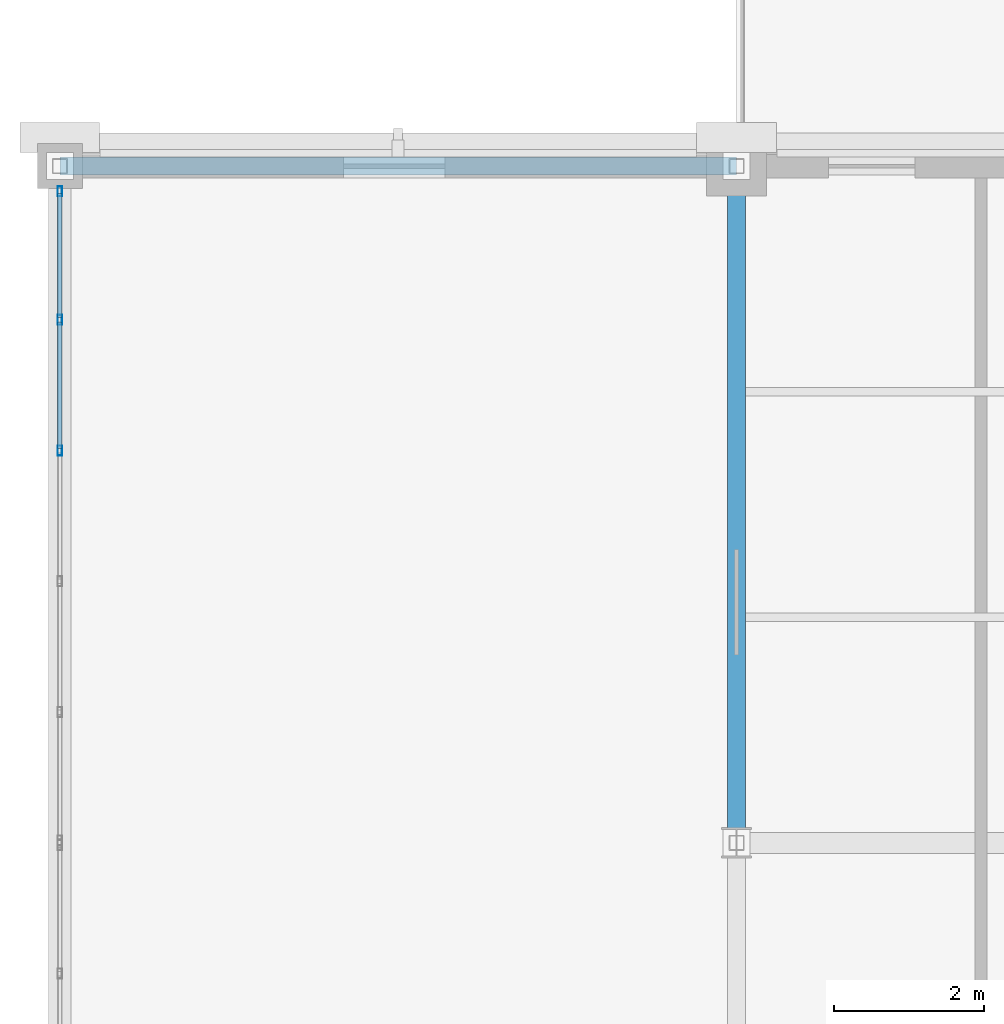
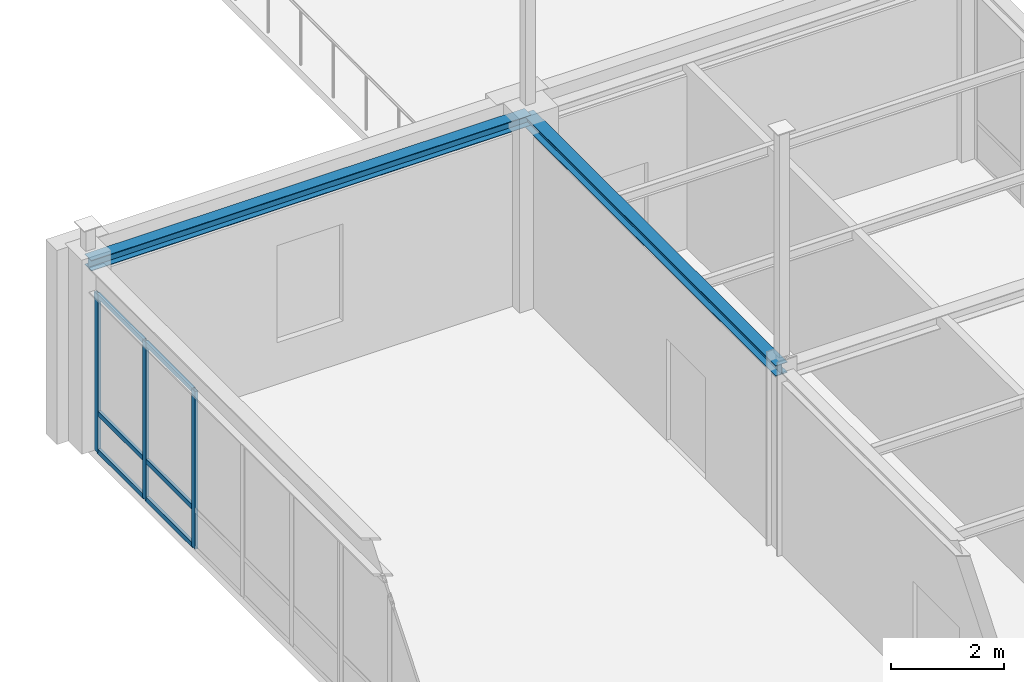
# One storey, part 23 of 36: 9 members, 2 beams, 1 element without a shape of its own.
"""IFC4 building model written with IfcOpenShell, lengths in metres."""

import ifcopenshell
import ifcopenshell.guid

model = None  # the IFC model being written
_history = None  # IfcOwnerHistory: only IFC2X3 demands one
_inside = {}  # id of a spatial element -> (the spatial element, [elements in it])
_under = {}  # id of a project, library or spatial element -> (it, [spatial elements below it])
_declared = {}  # id of a project -> (the project, [libraries it declares])
_typed = {}  # id of a type object -> (the type object, [elements of that type])
_made_of = {}  # id of a material, layer set ... -> (it, [elements and type objects made of it])


def new_model(schema):
    """Start an empty IFC model of exactly this schema.

    Asked for "IFC4X3", IfcOpenShell would pick the latest addendum, in which some entities
    have other attributes; the version numbers below select the first issue.
    IFC2X3 requires an IfcOwnerHistory on every rooted entity: one is made here for all.
    """
    global model, _history
    if schema == "IFC4X3":
        model = ifcopenshell.file(schema_version=(4, 3, 0, 0))
    else:
        model = ifcopenshell.file(schema=schema)
    _inside.clear()
    _under.clear()
    _declared.clear()
    _typed.clear()
    _made_of.clear()
    _history = None
    if model.schema == "IFC2X3":
        org = make("IfcOrganization", Name="unknown")
        user = make(
            "IfcPersonAndOrganization",
            ThePerson=make("IfcPerson", FamilyName="unknown"),
            TheOrganization=org,
        )
        app = make(
            "IfcApplication",
            ApplicationDeveloper=org,
            Version="unknown",
            ApplicationFullName="unknown",
            ApplicationIdentifier="unknown",
        )
        _history = make(
            "IfcOwnerHistory",
            OwningUser=user,
            OwningApplication=app,
            ChangeAction="ADDED",
            CreationDate=0,
        )
    return model


def make(cls, **values):
    """One entity of the class cls with the attributes given. An attribute that is None is left unset."""
    return model.create_entity(
        cls, **{name: value for name, value in values.items() if value is not None}
    )


def rooted(cls, **values):
    """An entity with a GlobalId (a new one), such as an element, a storey or a relation."""
    return make(cls, GlobalId=ifcopenshell.guid.new(), OwnerHistory=_history, **values)


def si_unit(unit_type, name, prefix=None):
    """IfcSIUnit, for example si_unit("LENGTHUNIT", "METRE", prefix="MILLI")."""
    return make("IfcSIUnit", UnitType=unit_type, Prefix=prefix, Name=name)


def assignment(units):
    """IfcUnitAssignment: the units of a project."""
    return None if units is None else make("IfcUnitAssignment", Units=units)


def point(xyz):
    """IfcCartesianPoint."""
    return None if xyz is None else make("IfcCartesianPoint", Coordinates=xyz)


def direction(xyz):
    """IfcDirection."""
    return None if xyz is None else make("IfcDirection", DirectionRatios=xyz)


def frame(location, z_axis=None, x_axis=None):
    """IfcAxis2Placement3D, a coordinate frame: its origin and axes. An axis left out is left unset."""
    return make(
        "IfcAxis2Placement3D",
        Location=point(location),
        Axis=direction(z_axis),
        RefDirection=direction(x_axis),
    )


def frame_2d(location, x_axis=None):
    """IfcAxis2Placement2D, a coordinate frame in the plane: its origin and x axis."""
    return make(
        "IfcAxis2Placement2D", Location=point(location), RefDirection=direction(x_axis)
    )


def origin():
    """The frame at (0, 0, 0) with its axes left unset."""
    return frame((0.0, 0.0, 0.0))


def origin_2d():
    """The frame at (0, 0) in the plane with its x axis left unset."""
    return frame_2d((0.0, 0.0))


def place(relative_to, where):
    """IfcLocalPlacement: puts the frame where relative to a parent placement (None: the world)."""
    return make(
        "IfcLocalPlacement", PlacementRelTo=relative_to, RelativePlacement=where
    )


def context(
    kind, dimensions, precision=None, world=None, true_north=None, identifier=None
):
    """IfcGeometricRepresentationContext, for example the 3D "Model" context."""
    return make(
        "IfcGeometricRepresentationContext",
        ContextIdentifier=identifier,
        ContextType=kind,
        CoordinateSpaceDimension=dimensions,
        Precision=precision,
        WorldCoordinateSystem=world,
        TrueNorth=true_north,
    )


def subcontext(parent, identifier, kind, view, scale=None):
    """IfcGeometricRepresentationSubContext, for example "Body" below "Model"."""
    return make(
        "IfcGeometricRepresentationSubContext",
        ContextIdentifier=identifier,
        ContextType=kind,
        ParentContext=parent,
        TargetScale=scale,
        TargetView=view,
    )


def project(units=None, contexts=None):
    """IfcProject with its units and contexts."""
    return rooted(
        "IfcProject",
        Name="project",
        RepresentationContexts=contexts,
        UnitsInContext=assignment(units),
    )


def spatial(cls, under=None, at=None, **own):
    """A site, building, storey or space (cls), placed at a placement, below another one or the project."""
    s = rooted(cls, ObjectPlacement=at, **own)
    if under is not None:
        _under.setdefault(under.id(), (under, []))[1].append(s)
    return s


def profile(cls, at=None, kind="AREA", **sizes):
    """A parametric profile (cls). Its sizes go by their IFC names, for example OverallWidth=200.0."""
    return make(cls, ProfileType=kind, Position=at, **sizes)


def hollow_rectangle(**sizes):
    """IfcRectangleHollowProfileDef."""
    return profile("IfcRectangleHollowProfileDef", **sizes)


def i_section(**sizes):
    """IfcIShapeProfileDef."""
    return profile("IfcIShapeProfileDef", **sizes)


def extrude(swept, where, along, depth):
    """IfcExtrudedAreaSolid: the profile swept, set in the frame where, extruded along a direction by depth."""
    return make(
        "IfcExtrudedAreaSolid",
        SweptArea=swept,
        Position=where,
        ExtrudedDirection=direction(along),
        Depth=depth,
    )


def shape(context_of_items, identifier, shape_type, items):
    """IfcShapeRepresentation: the items that make up one representation, for example the "Body"."""
    return make(
        "IfcShapeRepresentation",
        ContextOfItems=context_of_items,
        RepresentationIdentifier=identifier,
        RepresentationType=shape_type,
        Items=items,
    )


def material(Name=None, Category=None):
    """IfcMaterial."""
    return make("IfcMaterial", Name=Name, Category=Category)


def material_profile(
    of_material, cross_section, Name=None, Category=None, Priority=None
):
    """IfcMaterialProfile: a cross section and its material."""
    return make(
        "IfcMaterialProfile",
        Name=Name,
        Material=of_material,
        Profile=cross_section,
        Priority=Priority,
        Category=Category,
    )


def profile_set(profiles, Name=None, composite=None):
    """IfcMaterialProfileSet."""
    return make(
        "IfcMaterialProfileSet",
        Name=Name,
        MaterialProfiles=profiles,
        CompositeProfile=composite,
    )


def made_of(thing, what):
    """Note that an element or type object is made of a material, layer set ...; save() writes the relation."""
    if what is not None:
        _made_of.setdefault(what.id(), (what, []))[1].append(thing)
    return thing


def type_object(cls, material=None, **own):
    """A type object (cls), such as IfcWallType, which elements share."""
    return made_of(rooted(cls, **own), material)


def element(
    cls,
    number,
    at=None,
    inside=None,
    cuts=None,
    type_object=None,
    material=None,
    context=None,
    identifier="Body",
    shape_type=None,
    held_by="IfcProductDefinitionShape",
    body=None,
    shapes=None,
    **own,
):
    """One element of the class cls, such as IfcWall. Its Tag is "e" and its number.

    at: its placement. inside: the storey or other place that contains it. cuts: it is an
    opening in that element (IfcRelVoidsElement). A single representation is given by context,
    identifier, shape_type and body (its items); several are given by shapes. held_by: the class
    of the entity that holds the representations. save() writes the other relations.
    """
    e = rooted(cls, Tag="e%d" % number, ObjectPlacement=at, **own)
    if body is not None:
        shapes = [shape(context, identifier, shape_type, body)]
    if shapes is not None:
        e.Representation = make(held_by, Representations=shapes)
    if inside is not None:
        _inside.setdefault(inside.id(), (inside, []))[1].append(e)
    if cuts is not None:
        rooted(
            "IfcRelVoidsElement", RelatingBuildingElement=cuts, RelatedOpeningElement=e
        )
    if type_object is not None:
        _typed.setdefault(type_object.id(), (type_object, []))[1].append(e)
    return made_of(e, material)


def aggregate(whole, parts):
    """IfcRelAggregates: a whole, such as a stair, and the parts it consists of."""
    return rooted("IfcRelAggregates", RelatingObject=whole, RelatedObjects=parts)


def save(model, path):
    """Write the relations noted so far, then the file.

    IfcRelAggregates (storeys below a building ...), IfcRelContainedInSpatialStructure (elements
    in a storey), IfcRelDefinesByType, IfcRelAssociatesMaterial and IfcRelDeclares: one each for
    every whole, place, type object, material and project.
    """
    for whole, parts in _under.values():
        aggregate(whole, parts)
    for where, things in _inside.values():
        rooted(
            "IfcRelContainedInSpatialStructure",
            RelatedElements=things,
            RelatingStructure=where,
        )
    for kind, things in _typed.values():
        rooted("IfcRelDefinesByType", RelatedObjects=things, RelatingType=kind)
    for what, things in _made_of.values():
        rooted("IfcRelAssociatesMaterial", RelatedObjects=things, RelatingMaterial=what)
    for by, libraries in _declared.values():
        rooted("IfcRelDeclares", RelatingContext=by, RelatedDefinitions=libraries)
    model.write(path)


model = new_model("IFC4")

# Units and contexts
model_context = context("Model", 3, precision=1e-05, world=origin(), true_north=direction((0.0, 1.0)))
body_context = subcontext(model_context, "Body", "Model", "MODEL_VIEW")
ifc_project = project(units=[si_unit("LENGTHUNIT", "METRE"), si_unit("AREAUNIT", "SQUARE_METRE"), si_unit("VOLUMEUNIT", "CUBIC_METRE"), si_unit("PLANEANGLEUNIT", "RADIAN"), si_unit("MASSUNIT", "GRAM", prefix="KILO")], contexts=[model_context])

# Site, building, storey
site_placement = place(None, origin())
site = spatial("IfcSite", under=ifc_project, at=site_placement, CompositionType="ELEMENT")
building_placement = place(site_placement, origin())
building = spatial("IfcBuilding", under=site, at=building_placement, Name="Lykobir Media Centre", CompositionType="ELEMENT")
storey_placement = place(building_placement, frame((0.0, 0.0, 27.60009765625)))
storey = spatial("IfcBuildingStorey", under=building, at=storey_placement, Name="L06", CompositionType="ELEMENT", Elevation=27.60009765625)

# Curtain wall, members
ifc_material_1 = material(Name="Anodized Aluminium AW-6060", Category="aluminium")
curtain_wall_type = type_object("IfcCurtainWallType", Name="CW-PAV-V3", PredefinedType="NOTDEFINED", material=ifc_material_1)
curtain_wall_placement = place(storey_placement, origin())
curtain_wall = element("IfcCurtainWall", 1, at=curtain_wall_placement, inside=storey, type_object=curtain_wall_type, Name="Curtain wall CW2-L06-0214", PredefinedType="NOTDEFINED")
ifc_material_profile_1 = material_profile(ifc_material_1, hollow_rectangle(XDim=0.06005859375, YDim=0.135009765625, WallThickness=0.00341796875, at=origin_2d()), Name="ALU MULLION 60x135")
ifc_profile_set_1 = profile_set([ifc_material_profile_1], Name="Anodized Aluminium AW-6060")
member_type_1 = type_object("IfcMemberType", Name="CWM-135", PredefinedType="MULLION", material=ifc_profile_set_1)
member_1_placement = place(storey_placement, frame((18.0, 41.217041015625, 0.0), z_axis=(0.0, 0.0, 1.0), x_axis=(-1.0, 0.0, 0.0)))
member_1 = element("IfcMember", 2, at=member_1_placement, type_object=member_type_1, Name="CW2-L06-0214 mullion 4", PredefinedType="MULLION", context=body_context, shape_type="SweptSolid", body=[
    extrude(hollow_rectangle(XDim=0.06005859375, YDim=0.135009765625, WallThickness=0.00341796875, at=origin_2d()), origin(), (0.0, 0.0, 1.0), 3.414794921875),
])
member_2_placement = place(storey_placement, frame((18.0, 42.9560546875, 0.0), z_axis=(0.0, 0.0, 1.0), x_axis=(-1.0, 0.0, 0.0)))
member_2 = element("IfcMember", 3, at=member_2_placement, type_object=member_type_1, Name="CW2-L06-0214 mullion 5", PredefinedType="MULLION", context=body_context, shape_type="SweptSolid", body=[
    extrude(hollow_rectangle(XDim=0.06005859375, YDim=0.135009765625, WallThickness=0.00341796875, at=origin_2d()), origin(), (0.0, 0.0, 1.0), 3.414794921875),
])
member_3_placement = place(storey_placement, frame((18.0, 44.6650390625, 0.0), z_axis=(0.0, 0.0, 1.0), x_axis=(-1.0, 0.0, 0.0)))
member_3 = element("IfcMember", 4, at=member_3_placement, type_object=member_type_1, Name="CW2-L06-0214 mullion 6", PredefinedType="MULLION", context=body_context, shape_type="SweptSolid", body=[
    extrude(hollow_rectangle(XDim=0.06005859375, YDim=0.135009765625, WallThickness=0.00341796875, at=origin_2d()), origin(), (0.0, 0.0, 1.0), 3.414794921875),
])
ifc_material_profile_2 = material_profile(ifc_material_1, hollow_rectangle(XDim=0.06005859375, YDim=0.10498046875, WallThickness=0.0029296875, at=origin_2d()), Name="ALU TRANSOM 60x105")
ifc_profile_set_2 = profile_set([ifc_material_profile_2], Name="Anodized Aluminium AW-6060")
member_type_2 = type_object("IfcMemberType", Name="CWT-105", PredefinedType="USERDEFINED", material=ifc_profile_set_2)
member_4_placement = place(storey_placement, frame((18.0, 41.2470703125, 0.02978515625), z_axis=(0.0, 1.0, 0.0), x_axis=(-1.0, 0.0, 0.0)))
member_4 = element("IfcMember", 5, at=member_4_placement, type_object=member_type_2, Name="CW2-L06-0214 transom 4.1", ObjectType="TRANSOM", PredefinedType="USERDEFINED", context=body_context, shape_type="SweptSolid", body=[
    extrude(hollow_rectangle(XDim=0.06005859375, YDim=0.10498046875, WallThickness=0.0029296875, at=origin_2d()), origin(), (0.0, 0.0, 1.0), 1.678955078125),
])
member_5_placement = place(storey_placement, frame((18.0, 41.2470703125, 0.849853515625), z_axis=(0.0, 1.0, 0.0), x_axis=(-1.0, 0.0, 0.0)))
member_5 = element("IfcMember", 6, at=member_5_placement, type_object=member_type_2, Name="CW2-L06-0214 transom 4.2", ObjectType="TRANSOM", PredefinedType="USERDEFINED", context=body_context, shape_type="SweptSolid", body=[
    extrude(hollow_rectangle(XDim=0.06005859375, YDim=0.10498046875, WallThickness=0.0029296875, at=origin_2d()), origin(), (0.0, 0.0, 1.0), 1.678955078125),
])
member_6_placement = place(storey_placement, frame((18.0, 41.2470703125, 3.385009765625), z_axis=(0.0, 1.0, 0.0), x_axis=(-1.0, 0.0, 0.0)))
member_6 = element("IfcMember", 7, at=member_6_placement, type_object=member_type_2, Name="CW2-L06-0214 transom 4.3", ObjectType="TRANSOM", PredefinedType="USERDEFINED", context=body_context, shape_type="SweptSolid", body=[
    extrude(hollow_rectangle(XDim=0.06005859375, YDim=0.10498046875, WallThickness=0.0029296875, at=origin_2d()), origin(), (0.0, 0.0, 1.0), 1.678955078125),
])
member_7_placement = place(storey_placement, frame((18.0, 42.986083984375, 0.02978515625), z_axis=(0.0, 1.0, 0.0), x_axis=(-1.0, 0.0, 0.0)))
member_7 = element("IfcMember", 8, at=member_7_placement, type_object=member_type_2, Name="CW2-L06-0214 transom 5.1", ObjectType="TRANSOM", PredefinedType="USERDEFINED", context=body_context, shape_type="SweptSolid", body=[
    extrude(hollow_rectangle(XDim=0.06005859375, YDim=0.10498046875, WallThickness=0.0029296875, at=origin_2d()), origin(), (0.0, 0.0, 1.0), 1.64892578125),
])
member_8_placement = place(storey_placement, frame((18.0, 42.986083984375, 0.849853515625), z_axis=(0.0, 1.0, 0.0), x_axis=(-1.0, 0.0, 0.0)))
member_8 = element("IfcMember", 9, at=member_8_placement, type_object=member_type_2, Name="CW2-L06-0214 transom 5.2", ObjectType="TRANSOM", PredefinedType="USERDEFINED", context=body_context, shape_type="SweptSolid", body=[
    extrude(hollow_rectangle(XDim=0.06005859375, YDim=0.10498046875, WallThickness=0.0029296875, at=origin_2d()), origin(), (0.0, 0.0, 1.0), 1.64892578125),
])
member_9_placement = place(storey_placement, frame((18.0, 42.986083984375, 3.385009765625), z_axis=(0.0, 1.0, 0.0), x_axis=(-1.0, 0.0, 0.0)))
member_9 = element("IfcMember", 10, at=member_9_placement, type_object=member_type_2, Name="CW2-L06-0214 transom 5.3", ObjectType="TRANSOM", PredefinedType="USERDEFINED", context=body_context, shape_type="SweptSolid", body=[
    extrude(hollow_rectangle(XDim=0.06005859375, YDim=0.10498046875, WallThickness=0.0029296875, at=origin_2d()), origin(), (0.0, 0.0, 1.0), 1.64892578125),
])
aggregate(curtain_wall, [member_1, member_2, member_3, member_4, member_5, member_6, member_7, member_8, member_9])

# Beams
ifc_material_2 = material(Name="Steel S355", Category="steel")
ifc_material_profile_3 = material_profile(ifc_material_2, i_section(OverallWidth=0.239990234375, OverallDepth=0.22998046875, WebThickness=0.007568359375, FlangeThickness=0.011962890625, at=origin_2d()), Name="HEA 240")
ifc_profile_set_3 = profile_set([ifc_material_profile_3], Name="Steel S355")
beam_type = type_object("IfcBeamType", Name="SP-HEA240", PredefinedType="SPANDREL", material=ifc_profile_set_3)
for number, where, z_axis, x_axis, name in (
    (11, (18.0, 45.0, 3.864990234375), (1.0, 0.0, 0.0), (0.0, 1.0, 0.0), "Beam BM-L06-0180-0450-0270-0450-3146"),
    (12, (27.0, 36.0, 3.864990234375), (0.0, 1.0, 0.0), (-1.0, 0.0, 0.0), "Beam BM-L06-0270-0360-0270-0450-3146"),
):
    element("IfcBeam", number, at=place(storey_placement, frame(where, z_axis=z_axis, x_axis=x_axis)), inside=storey, type_object=beam_type, Name=name, PredefinedType="SPANDREL", context=body_context, shape_type="SweptSolid", body=[
        extrude(i_section(OverallWidth=0.239990234375, OverallDepth=0.22998046875, WebThickness=0.007568359375, FlangeThickness=0.011962890625, at=origin_2d()), origin(), (0.0, 0.0, 1.0), 9.0),
    ])

save(model, "model.ifc")
